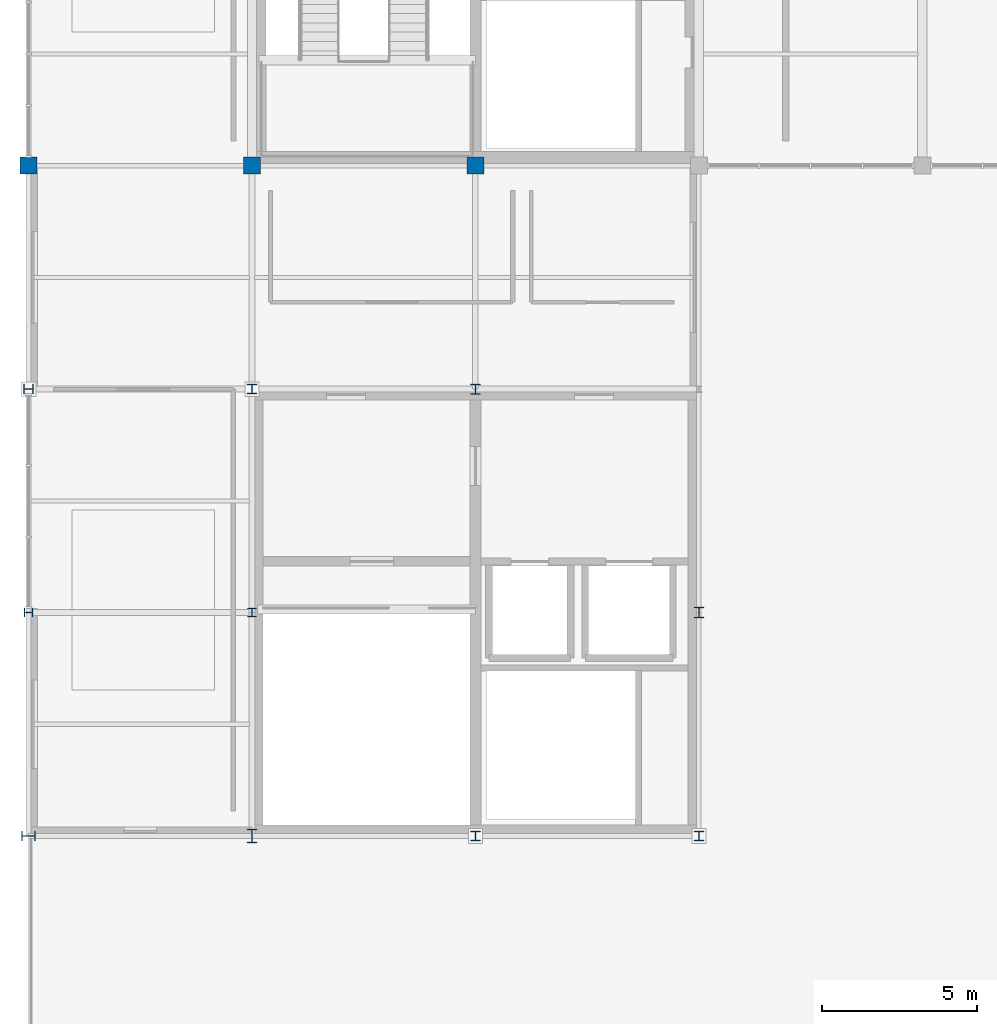
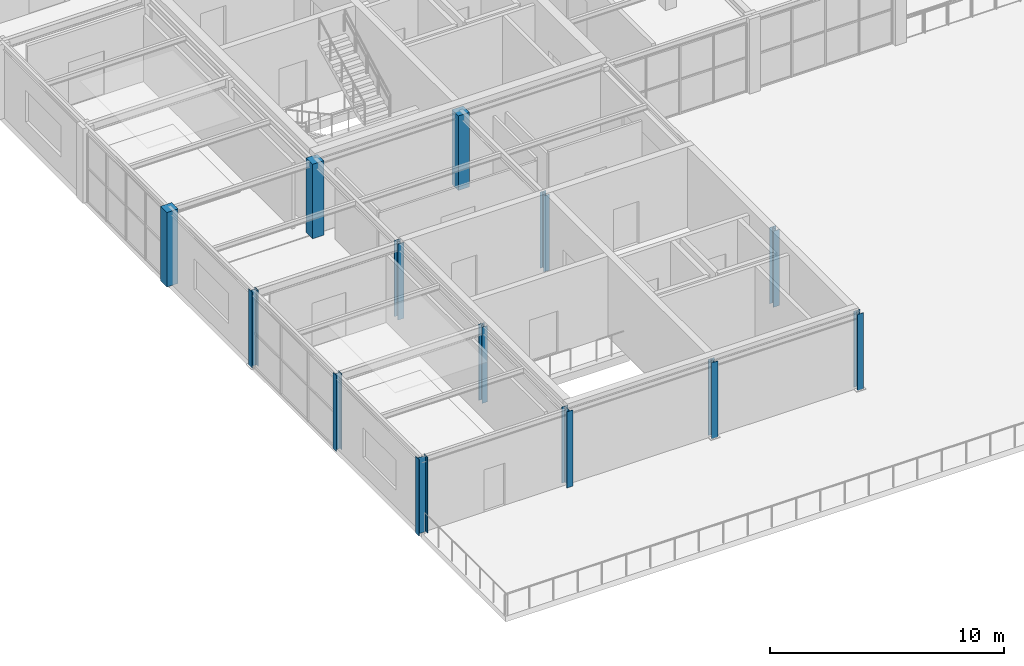
# One storey, part 1 of 30: 13 columns.
"""IFC4 building model written with IfcOpenShell, lengths in metres."""

from ifc_helpers import new_model, si_unit, direction, frame, origin, origin_2d, place, context, subcontext, project, spatial, rectangle, i_section, extrude, material, material_profile, profile_set, type_object, element, save


model = new_model("IFC4")

# Units and contexts
model_context = context("Model", 3, precision=1e-05, world=origin(), true_north=direction((0.0, 1.0)))
body_context = subcontext(model_context, "Body", "Model", "MODEL_VIEW")
ifc_project = project(units=[si_unit("LENGTHUNIT", "METRE"), si_unit("AREAUNIT", "SQUARE_METRE"), si_unit("VOLUMEUNIT", "CUBIC_METRE"), si_unit("PLANEANGLEUNIT", "RADIAN"), si_unit("MASSUNIT", "GRAM", prefix="KILO")], contexts=[model_context])

# Site, building, storey
site_placement = place(None, origin())
site = spatial("IfcSite", under=ifc_project, at=site_placement, CompositionType="ELEMENT")
building_placement = place(site_placement, origin())
building = spatial("IfcBuilding", under=site, at=building_placement, Name="Leyfeld Transit Interchange", CompositionType="ELEMENT")
storey_placement = place(building_placement, frame((0.0, 0.0, 13.800048828125)))
storey = spatial("IfcBuildingStorey", under=building, at=storey_placement, Name="L03", CompositionType="ELEMENT", Elevation=13.800048828125)

# Columns
ifc_material_1 = material(Name="Steel S355J2", Category="steel")
ifc_material_profile_1 = material_profile(ifc_material_1, i_section(OverallWidth=0.300048828125, OverallDepth=0.330078125, WebThickness=0.009521484375, FlangeThickness=0.0166015625, FilletRadius=0.027099609375, at=origin_2d()), Name="HEA 340")
ifc_profile_set_1 = profile_set([ifc_material_profile_1], Name="Steel S355J2")
column_type_1 = type_object("IfcColumnType", Name="COL-CAT-06", PredefinedType="COLUMN", material=ifc_profile_set_1)
column_1_placement = place(storey_placement, frame((14.39990234375, 86.39990234375, 0.0), z_axis=(0.0, 0.0, 1.0), x_axis=(1.0, 0.0, 0.0)))
element("IfcColumn", 1, at=column_1_placement, inside=storey, type_object=column_type_1, Name="Column COL-L03-0144_0864", PredefinedType="COLUMN", context=body_context, shape_type="SweptSolid", body=[
    extrude(i_section(OverallWidth=0.300048828125, OverallDepth=0.330078125, WebThickness=0.009521484375, FlangeThickness=0.0166015625, FilletRadius=0.027099609375, at=origin_2d()), origin(), (0.0, 0.0, 1.0), 3.97998046875),
])
ifc_material_profile_2 = material_profile(ifc_material_1, i_section(OverallWidth=0.300048828125, OverallDepth=0.43994140625, WebThickness=0.011474609375, FlangeThickness=0.02099609375, FilletRadius=0.027099609375, at=origin_2d()), Name="HEA 450")
ifc_profile_set_2 = profile_set([ifc_material_profile_2], Name="Steel S355J2")
column_type_2 = type_object("IfcColumnType", Name="COL-CAT-07", PredefinedType="COLUMN", material=ifc_profile_set_2)
for number, where, z_axis, x_axis, name in (
    (2, (0.0, 72.0, 0.0), (0.0, 0.0, 1.0), (0.0, 1.0, 0.0), "Column COL-L03-0000_0720"),
    (3, (7.199951171875, 72.0, 0.0), (0.0, 0.0, 1.0), (1.0, 0.0, 0.0), "Column COL-L03-0072_0720"),
):
    element("IfcColumn", number, at=place(storey_placement, frame(where, z_axis=z_axis, x_axis=x_axis)), inside=storey, type_object=column_type_2, Name=name, PredefinedType="COLUMN", context=body_context, shape_type="SweptSolid", body=[
        extrude(i_section(OverallWidth=0.300048828125, OverallDepth=0.43994140625, WebThickness=0.011474609375, FlangeThickness=0.02099609375, FilletRadius=0.027099609375, at=origin_2d()), origin(), (0.0, 0.0, 1.0), 3.97998046875),
    ])
ifc_material_profile_3 = material_profile(ifc_material_1, i_section(OverallWidth=0.280029296875, OverallDepth=0.280029296875, WebThickness=0.010498046875, FlangeThickness=0.01806640625, FilletRadius=0.02392578125, at=origin_2d()), Name="HEB 280")
ifc_profile_set_3 = profile_set([ifc_material_profile_3], Name="Steel S355J2")
column_type_3 = type_object("IfcColumnType", Name="COL-CAT-13", PredefinedType="COLUMN", material=ifc_profile_set_3)
for number, where, z_axis, x_axis, name in (
    (4, (0.0, 79.199951171875, 0.0), (0.0, 0.0, 1.0), (0.0, 1.0, 0.0), "Column COL-L03-0000_0792"),
    (5, (7.199951171875, 79.199951171875, 0.0), (0.0, 0.0, 1.0), (1.0, 0.0, 0.0), "Column COL-L03-0072_0792"),
):
    element("IfcColumn", number, at=place(storey_placement, frame(where, z_axis=z_axis, x_axis=x_axis)), inside=storey, type_object=column_type_3, Name=name, PredefinedType="COLUMN", context=body_context, shape_type="SweptSolid", body=[
        extrude(i_section(OverallWidth=0.280029296875, OverallDepth=0.280029296875, WebThickness=0.010498046875, FlangeThickness=0.01806640625, FilletRadius=0.02392578125, at=origin_2d()), origin(), (0.0, 0.0, 1.0), 3.97998046875),
    ])
ifc_material_profile_4 = material_profile(ifc_material_1, i_section(OverallWidth=0.300048828125, OverallDepth=0.340087890625, WebThickness=0.011962890625, FlangeThickness=0.021484375, FilletRadius=0.027099609375, at=origin_2d()), Name="HEB 340")
ifc_profile_set_4 = profile_set([ifc_material_profile_4], Name="Steel S355J2")
column_type_4 = type_object("IfcColumnType", Name="COL-CAT-15", PredefinedType="COLUMN", material=ifc_profile_set_4)
column_2_placement = place(storey_placement, frame((21.60009765625, 79.199951171875, 0.0), z_axis=(0.0, 0.0, 1.0), x_axis=(1.0, 0.0, 0.0)))
element("IfcColumn", 6, at=column_2_placement, inside=storey, type_object=column_type_4, Name="Column COL-L03-0216_0792", PredefinedType="COLUMN", context=body_context, shape_type="SweptSolid", body=[
    extrude(i_section(OverallWidth=0.300048828125, OverallDepth=0.340087890625, WebThickness=0.011962890625, FlangeThickness=0.021484375, FilletRadius=0.027099609375, at=origin_2d()), origin(), (0.0, 0.0, 1.0), 3.97998046875),
])
ifc_material_2 = material(Name="Concrete C35/45", Category="concrete")
ifc_material_profile_5 = material_profile(ifc_material_2, rectangle(XDim=0.550048828125, YDim=0.550048828125, at=origin_2d()), Name="RC 550x550")
ifc_profile_set_5 = profile_set([ifc_material_profile_5], Name="Concrete C35/45")
column_type_5 = type_object("IfcColumnType", Name="COL-RC-550", PredefinedType="COLUMN", material=ifc_profile_set_5)
for number, where, z_axis, x_axis, name in (
    (7, (0.0, 93.60009765625, 0.0), (0.0, 0.0, 1.0), (0.0, 1.0, 0.0), "Column COL-L03-0000_0936"),
    (8, (7.199951171875, 93.60009765625, 0.0), (0.0, 0.0, 1.0), (1.0, 0.0, 0.0), "Column COL-L03-0072_0936"),
    (9, (14.39990234375, 93.60009765625, 0.0), (0.0, 0.0, 1.0), (1.0, 0.0, 0.0), "Column COL-L03-0144_0936"),
):
    element("IfcColumn", number, at=place(storey_placement, frame(where, z_axis=z_axis, x_axis=x_axis)), inside=storey, type_object=column_type_5, Name=name, PredefinedType="COLUMN", context=body_context, shape_type="SweptSolid", body=[
        extrude(rectangle(XDim=0.550048828125, YDim=0.550048828125, at=origin_2d()), origin(), (0.0, 0.0, 1.0), 3.89990234375),
    ])
ifc_material_profile_6 = material_profile(ifc_material_1, i_section(OverallWidth=0.300048828125, OverallDepth=0.31005859375, WebThickness=0.009033203125, FlangeThickness=0.015380859375, FilletRadius=0.027099609375, at=origin_2d()), Name="HEA 320")
ifc_profile_set_6 = profile_set([ifc_material_profile_6], Name="Steel S355J2")
column_type_6 = type_object("IfcColumnType", Name="COL-STL-HEA320", PredefinedType="COLUMN", material=ifc_profile_set_6)
for number, where, z_axis, x_axis, name in (
    (10, (0.0, 86.39990234375, 0.0), (0.0, 0.0, 1.0), (0.0, 1.0, 0.0), "Column COL-L03-0000_0864"),
    (11, (7.199951171875, 86.39990234375, 0.0), (0.0, 0.0, 1.0), (1.0, 0.0, 0.0), "Column COL-L03-0072_0864"),
    (12, (14.39990234375, 72.0, 0.0), (0.0, 0.0, 1.0), (1.0, 0.0, 0.0), "Column COL-L03-0144_0720"),
    (13, (21.60009765625, 72.0, 0.0), (0.0, 0.0, 1.0), (1.0, 0.0, 0.0), "Column COL-L03-0216_0720"),
):
    element("IfcColumn", number, at=place(storey_placement, frame(where, z_axis=z_axis, x_axis=x_axis)), inside=storey, type_object=column_type_6, Name=name, PredefinedType="COLUMN", context=body_context, shape_type="SweptSolid", body=[
        extrude(i_section(OverallWidth=0.300048828125, OverallDepth=0.31005859375, WebThickness=0.009033203125, FlangeThickness=0.015380859375, FilletRadius=0.027099609375, at=origin_2d()), origin(), (0.0, 0.0, 1.0), 3.97998046875),
    ])

save(model, "model.ifc")
